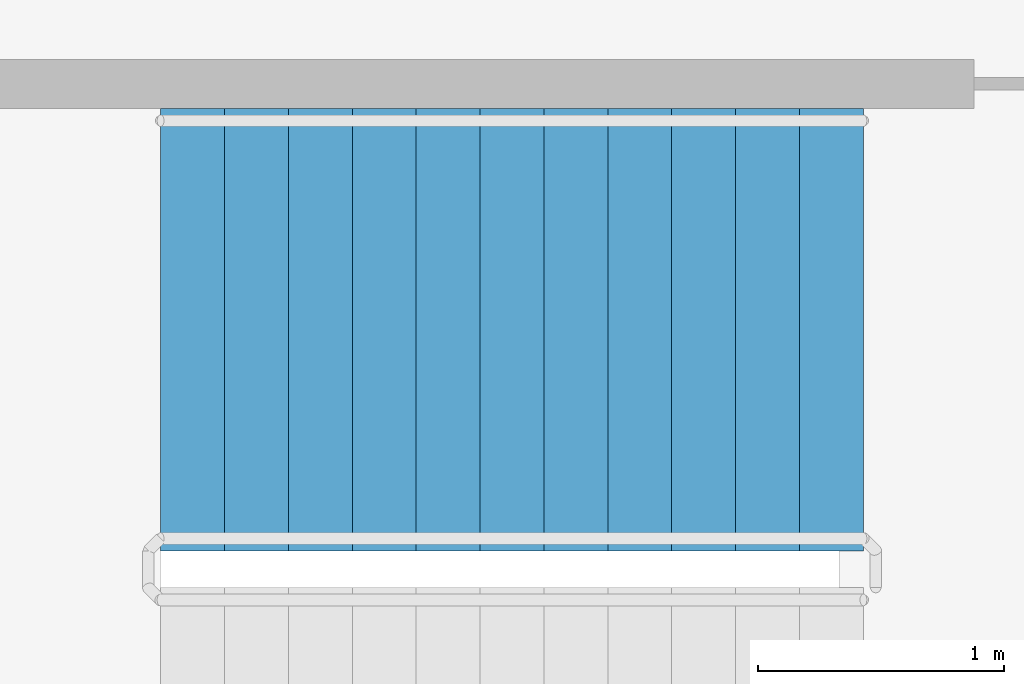
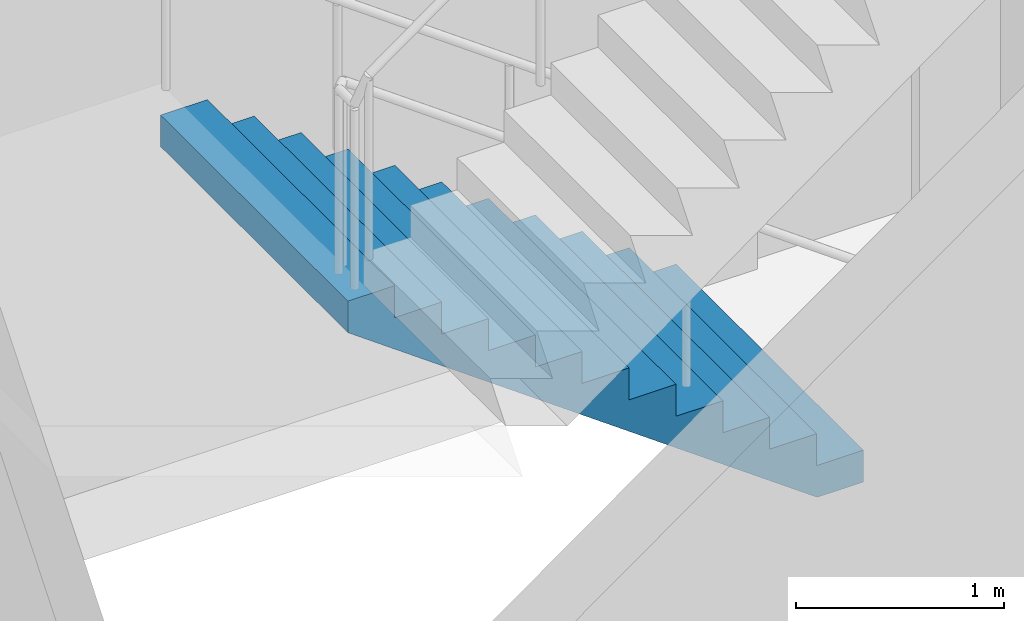
# One storey, part 42 of 49: 1 stair flight, 1 element without a shape of its own.
"""IFC4 building model written with IfcOpenShell, lengths in metres."""

from ifc_helpers import new_model, si_unit, direction, frame, origin, place, context, subcontext, project, spatial, faceted_brep, material, type_object, element, aggregate, save


model = new_model("IFC4")

# Units and contexts
model_context = context("Model", 3, precision=1e-05, world=origin(), true_north=direction((0.0, 1.0)))
body_context = subcontext(model_context, "Body", "Model", "MODEL_VIEW")
ifc_project = project(units=[si_unit("LENGTHUNIT", "METRE"), si_unit("AREAUNIT", "SQUARE_METRE"), si_unit("VOLUMEUNIT", "CUBIC_METRE"), si_unit("PLANEANGLEUNIT", "RADIAN"), si_unit("MASSUNIT", "GRAM", prefix="KILO")], contexts=[model_context])

# Site, building, storey
site_placement = place(None, origin())
site = spatial("IfcSite", under=ifc_project, at=site_placement, CompositionType="ELEMENT")
building_placement = place(site_placement, origin())
building = spatial("IfcBuilding", under=site, at=building_placement, Name="Ipe Terrace Towers", CompositionType="ELEMENT")
storey_placement = place(building_placement, frame((0.0, 0.0, 11.0)))
storey = spatial("IfcBuildingStorey", under=building, at=storey_placement, Name="L02", CompositionType="ELEMENT", Elevation=11.0)

# Stair, stair flight
ifc_material_1 = material(Name="Concrete C30/37", Category="concrete")
stair_type = type_object("IfcStairType", Name="Protected exit stair", PredefinedType="HALF_TURN_STAIR", material=ifc_material_1)
stair_placement = place(storey_placement, origin())
stair = element("IfcStair", 1, at=stair_placement, inside=storey, type_object=stair_type, Name="L02 Podium exit stair PS2", PredefinedType="HALF_TURN_STAIR")
ifc_material_2 = material(Name="Concrete C30/37", Category="concrete")
stair_flight_type = type_object("IfcStairFlightType", Name="Exit stair flight 1800", PredefinedType="STRAIGHT", material=ifc_material_2)
stair_flight_placement = place(storey_placement, frame((-0.75, 25.5, 0.0), z_axis=(0.0, 0.0, 1.0), x_axis=(-1.0, 0.0, 0.0)))
stair_flight = element("IfcStairFlight", 2, at=stair_flight_placement, type_object=stair_flight_type, Name="PS2 flight 1", NumberOfRisers=12, NumberOfTreads=11, PredefinedType="STRAIGHT", RiserHeight=0.1875, TreadLength=0.26, context=body_context, shape_type="Brep", body=[
    faceted_brep([(0.25634765625, -0.89990234375, 0.0), (2.860107421875, -0.89990234375, 1.877685546875), (2.860107421875, -0.89990234375, 2.0625), (2.60009765625, -0.89990234375, 2.0625), (2.60009765625, -0.89990234375, 1.875), (2.340087890625, -0.89990234375, 1.875), (2.340087890625, -0.89990234375, 1.6875), (2.080078125, -0.89990234375, 1.6875), (2.080078125, -0.89990234375, 1.5), (1.820068359375, -0.89990234375, 1.5), (1.820068359375, -0.89990234375, 1.3125), (1.56005859375, -0.89990234375, 1.3125), (1.56005859375, -0.89990234375, 1.125), (1.300048828125, -0.89990234375, 1.125), (1.300048828125, -0.89990234375, 0.9375), (1.0400390625, -0.89990234375, 0.9375), (1.0400390625, -0.89990234375, 0.75), (0.780029296875, -0.89990234375, 0.75), (0.780029296875, -0.89990234375, 0.5625), (0.52001953125, -0.89990234375, 0.5625), (0.52001953125, -0.89990234375, 0.375), (0.260009765625, -0.89990234375, 0.375), (0.260009765625, -0.89990234375, 0.1875), (0.0, -0.89990234375, 0.1875), (0.0, -0.89990234375, 0.0), (0.0, 0.89990234375, 0.0), (0.0, 0.89990234375, 0.1875), (0.260009765625, 0.89990234375, 0.1875), (0.260009765625, 0.89990234375, 0.375), (0.52001953125, 0.89990234375, 0.375), (0.52001953125, 0.89990234375, 0.5625), (0.780029296875, 0.89990234375, 0.5625), (0.780029296875, 0.89990234375, 0.75), (1.0400390625, 0.89990234375, 0.75), (1.0400390625, 0.89990234375, 0.9375), (1.300048828125, 0.89990234375, 0.9375), (1.300048828125, 0.89990234375, 1.125), (1.56005859375, 0.89990234375, 1.125), (1.56005859375, 0.89990234375, 1.3125), (1.820068359375, 0.89990234375, 1.3125), (1.820068359375, 0.89990234375, 1.5), (2.080078125, 0.89990234375, 1.5), (2.080078125, 0.89990234375, 1.6875), (2.340087890625, 0.89990234375, 1.6875), (2.340087890625, 0.89990234375, 1.875), (2.60009765625, 0.89990234375, 1.875), (2.60009765625, 0.89990234375, 2.0625), (2.860107421875, 0.89990234375, 2.0625), (2.860107421875, 0.89990234375, 1.877685546875), (0.25634765625, 0.89990234375, 0.0), (0.0, -0.300048828125, 0.1875), (0.0, -0.1201171875, 0.1875), (0.0, -0.06005859375, 0.1875), (0.0, -0.030029296875, 0.1875), (0.0, -0.010009765625, 0.1875), (0.0, 0.0, 0.1875), (0.0, 0.010009765625, 0.1875), (0.0, 0.030029296875, 0.1875), (0.0, 0.06005859375, 0.1875), (0.0, 0.1201171875, 0.1875), (0.0, 0.300048828125, 0.1875), (0.0, 0.300048828125, 0.0), (0.0, 0.1201171875, 0.0), (0.0, 0.06005859375, 0.0), (0.0, 0.030029296875, 0.0), (0.0, 0.010009765625, 0.0), (0.0, 0.0, 0.0), (0.0, -0.010009765625, 0.0), (0.0, -0.030029296875, 0.0), (0.0, -0.06005859375, 0.0), (0.0, -0.1201171875, 0.0), (0.0, -0.300048828125, 0.0), (0.260009765625, -0.300048828125, 0.1875), (0.260009765625, -0.1201171875, 0.1875), (0.260009765625, -0.06005859375, 0.1875), (0.260009765625, -0.030029296875, 0.1875), (0.260009765625, -0.010009765625, 0.1875), (0.260009765625, 0.0, 0.1875), (0.260009765625, 0.010009765625, 0.1875), (0.260009765625, 0.030029296875, 0.1875), (0.260009765625, 0.06005859375, 0.1875), (0.260009765625, 0.1201171875, 0.1875), (0.260009765625, 0.300048828125, 0.1875), (0.260009765625, -0.300048828125, 0.375), (0.260009765625, -0.1201171875, 0.375), (0.260009765625, -0.06005859375, 0.375), (0.260009765625, -0.030029296875, 0.375), (0.260009765625, -0.010009765625, 0.375), (0.260009765625, 0.0, 0.375), (0.260009765625, 0.010009765625, 0.375), (0.260009765625, 0.030029296875, 0.375), (0.260009765625, 0.06005859375, 0.375), (0.260009765625, 0.1201171875, 0.375), (0.260009765625, 0.300048828125, 0.375), (0.52001953125, -0.300048828125, 0.375), (0.52001953125, -0.1201171875, 0.375), (0.52001953125, -0.06005859375, 0.375), (0.52001953125, -0.030029296875, 0.375), (0.52001953125, -0.010009765625, 0.375), (0.52001953125, 0.0, 0.375), (0.52001953125, 0.010009765625, 0.375), (0.52001953125, 0.030029296875, 0.375), (0.52001953125, 0.06005859375, 0.375), (0.52001953125, 0.1201171875, 0.375), (0.52001953125, 0.300048828125, 0.375), (0.52001953125, -0.300048828125, 0.5625), (0.52001953125, -0.1201171875, 0.5625), (0.52001953125, -0.06005859375, 0.5625), (0.52001953125, -0.030029296875, 0.5625), (0.52001953125, -0.010009765625, 0.5625), (0.52001953125, 0.0, 0.5625), (0.52001953125, 0.010009765625, 0.5625), (0.52001953125, 0.030029296875, 0.5625), (0.52001953125, 0.06005859375, 0.5625), (0.52001953125, 0.1201171875, 0.5625), (0.52001953125, 0.300048828125, 0.5625), (0.780029296875, -0.300048828125, 0.5625), (0.780029296875, -0.1201171875, 0.5625), (0.780029296875, -0.06005859375, 0.5625), (0.780029296875, -0.030029296875, 0.5625), (0.780029296875, -0.010009765625, 0.5625), (0.780029296875, 0.0, 0.5625), (0.780029296875, 0.010009765625, 0.5625), (0.780029296875, 0.030029296875, 0.5625), (0.780029296875, 0.06005859375, 0.5625), (0.780029296875, 0.1201171875, 0.5625), (0.780029296875, 0.300048828125, 0.5625), (0.780029296875, -0.300048828125, 0.75), (0.780029296875, -0.1201171875, 0.75), (0.780029296875, -0.06005859375, 0.75), (0.780029296875, -0.030029296875, 0.75), (0.780029296875, -0.010009765625, 0.75), (0.780029296875, 0.0, 0.75), (0.780029296875, 0.010009765625, 0.75), (0.780029296875, 0.030029296875, 0.75), (0.780029296875, 0.06005859375, 0.75), (0.780029296875, 0.1201171875, 0.75), (0.780029296875, 0.300048828125, 0.75), (1.0400390625, -0.300048828125, 0.75), (1.0400390625, -0.1201171875, 0.75), (1.0400390625, -0.06005859375, 0.75), (1.0400390625, -0.030029296875, 0.75), (1.0400390625, -0.010009765625, 0.75), (1.0400390625, 0.0, 0.75), (1.0400390625, 0.010009765625, 0.75), (1.0400390625, 0.030029296875, 0.75), (1.0400390625, 0.06005859375, 0.75), (1.0400390625, 0.1201171875, 0.75), (1.0400390625, 0.300048828125, 0.75), (1.0400390625, -0.300048828125, 0.9375), (1.0400390625, -0.1201171875, 0.9375), (1.0400390625, -0.06005859375, 0.9375), (1.0400390625, -0.030029296875, 0.9375), (1.0400390625, -0.010009765625, 0.9375), (1.0400390625, 0.0, 0.9375), (1.0400390625, 0.010009765625, 0.9375), (1.0400390625, 0.030029296875, 0.9375), (1.0400390625, 0.06005859375, 0.9375), (1.0400390625, 0.1201171875, 0.9375), (1.0400390625, 0.300048828125, 0.9375), (1.300048828125, -0.300048828125, 0.9375), (1.300048828125, -0.1201171875, 0.9375), (1.300048828125, -0.06005859375, 0.9375), (1.300048828125, -0.030029296875, 0.9375), (1.300048828125, -0.010009765625, 0.9375), (1.300048828125, 0.0, 0.9375), (1.300048828125, 0.010009765625, 0.9375), (1.300048828125, 0.030029296875, 0.9375), (1.300048828125, 0.06005859375, 0.9375), (1.300048828125, 0.1201171875, 0.9375), (1.300048828125, 0.300048828125, 0.9375), (1.300048828125, -0.300048828125, 1.125), (1.300048828125, -0.1201171875, 1.125), (1.300048828125, -0.06005859375, 1.125), (1.300048828125, -0.030029296875, 1.125), (1.300048828125, -0.010009765625, 1.125), (1.300048828125, 0.0, 1.125), (1.300048828125, 0.010009765625, 1.125), (1.300048828125, 0.030029296875, 1.125), (1.300048828125, 0.06005859375, 1.125), (1.300048828125, 0.1201171875, 1.125), (1.300048828125, 0.300048828125, 1.125), (1.56005859375, -0.300048828125, 1.125), (1.56005859375, -0.1201171875, 1.125), (1.56005859375, -0.06005859375, 1.125), (1.56005859375, -0.030029296875, 1.125), (1.56005859375, -0.010009765625, 1.125), (1.56005859375, 0.0, 1.125), (1.56005859375, 0.010009765625, 1.125), (1.56005859375, 0.030029296875, 1.125), (1.56005859375, 0.06005859375, 1.125), (1.56005859375, 0.1201171875, 1.125), (1.56005859375, 0.300048828125, 1.125), (1.56005859375, -0.300048828125, 1.3125), (1.56005859375, -0.1201171875, 1.3125), (1.56005859375, -0.06005859375, 1.3125), (1.56005859375, -0.030029296875, 1.3125), (1.56005859375, -0.010009765625, 1.3125), (1.56005859375, 0.0, 1.3125), (1.56005859375, 0.010009765625, 1.3125), (1.56005859375, 0.030029296875, 1.3125), (1.56005859375, 0.06005859375, 1.3125), (1.56005859375, 0.1201171875, 1.3125), (1.56005859375, 0.300048828125, 1.3125), (1.820068359375, -0.300048828125, 1.3125), (1.820068359375, -0.1201171875, 1.3125), (1.820068359375, -0.06005859375, 1.3125), (1.820068359375, -0.030029296875, 1.3125), (1.820068359375, -0.010009765625, 1.3125), (1.820068359375, 0.0, 1.3125), (1.820068359375, 0.010009765625, 1.3125), (1.820068359375, 0.030029296875, 1.3125), (1.820068359375, 0.06005859375, 1.3125), (1.820068359375, 0.1201171875, 1.3125), (1.820068359375, 0.300048828125, 1.3125), (1.820068359375, -0.300048828125, 1.5), (1.820068359375, -0.1201171875, 1.5), (1.820068359375, -0.06005859375, 1.5), (1.820068359375, -0.030029296875, 1.5), (1.820068359375, -0.010009765625, 1.5), (1.820068359375, 0.0, 1.5), (1.820068359375, 0.010009765625, 1.5), (1.820068359375, 0.030029296875, 1.5), (1.820068359375, 0.06005859375, 1.5), (1.820068359375, 0.1201171875, 1.5), (1.820068359375, 0.300048828125, 1.5), (2.080078125, -0.300048828125, 1.5), (2.080078125, -0.1201171875, 1.5), (2.080078125, -0.06005859375, 1.5), (2.080078125, -0.030029296875, 1.5), (2.080078125, -0.010009765625, 1.5), (2.080078125, 0.0, 1.5), (2.080078125, 0.010009765625, 1.5), (2.080078125, 0.030029296875, 1.5), (2.080078125, 0.06005859375, 1.5), (2.080078125, 0.1201171875, 1.5), (2.080078125, 0.300048828125, 1.5), (2.080078125, -0.300048828125, 1.6875), (2.080078125, -0.1201171875, 1.6875), (2.080078125, -0.06005859375, 1.6875), (2.080078125, -0.030029296875, 1.6875), (2.080078125, -0.010009765625, 1.6875), (2.080078125, 0.0, 1.6875), (2.080078125, 0.010009765625, 1.6875), (2.080078125, 0.030029296875, 1.6875), (2.080078125, 0.06005859375, 1.6875), (2.080078125, 0.1201171875, 1.6875), (2.080078125, 0.300048828125, 1.6875), (2.340087890625, -0.300048828125, 1.6875), (2.340087890625, -0.1201171875, 1.6875), (2.340087890625, -0.06005859375, 1.6875), (2.340087890625, -0.030029296875, 1.6875), (2.340087890625, -0.010009765625, 1.6875), (2.340087890625, 0.0, 1.6875), (2.340087890625, 0.010009765625, 1.6875), (2.340087890625, 0.030029296875, 1.6875), (2.340087890625, 0.06005859375, 1.6875), (2.340087890625, 0.1201171875, 1.6875), (2.340087890625, 0.300048828125, 1.6875), (2.340087890625, -0.300048828125, 1.875), (2.340087890625, -0.1201171875, 1.875), (2.340087890625, -0.06005859375, 1.875), (2.340087890625, -0.030029296875, 1.875), (2.340087890625, -0.010009765625, 1.875), (2.340087890625, 0.0, 1.875), (2.340087890625, 0.010009765625, 1.875), (2.340087890625, 0.030029296875, 1.875), (2.340087890625, 0.06005859375, 1.875), (2.340087890625, 0.1201171875, 1.875), (2.340087890625, 0.300048828125, 1.875), (2.60009765625, -0.300048828125, 1.875), (2.60009765625, -0.1201171875, 1.875), (2.60009765625, -0.06005859375, 1.875), (2.60009765625, -0.030029296875, 1.875), (2.60009765625, -0.010009765625, 1.875), (2.60009765625, 0.0, 1.875), (2.60009765625, 0.010009765625, 1.875), (2.60009765625, 0.030029296875, 1.875), (2.60009765625, 0.06005859375, 1.875), (2.60009765625, 0.1201171875, 1.875), (2.60009765625, 0.300048828125, 1.875), (2.60009765625, -0.300048828125, 2.0625), (2.60009765625, -0.1201171875, 2.0625), (2.60009765625, -0.06005859375, 2.0625), (2.60009765625, -0.030029296875, 2.0625), (2.60009765625, -0.010009765625, 2.0625), (2.60009765625, 0.0, 2.0625), (2.60009765625, 0.010009765625, 2.0625), (2.60009765625, 0.030029296875, 2.0625), (2.60009765625, 0.06005859375, 2.0625), (2.60009765625, 0.1201171875, 2.0625), (2.60009765625, 0.300048828125, 2.0625), (2.860107421875, -0.300048828125, 2.0625), (2.860107421875, -0.1201171875, 2.0625), (2.860107421875, -0.06005859375, 2.0625), (2.860107421875, -0.030029296875, 2.0625), (2.860107421875, -0.010009765625, 2.0625), (2.860107421875, 0.0, 2.0625), (2.860107421875, 0.010009765625, 2.0625), (2.860107421875, 0.030029296875, 2.0625), (2.860107421875, 0.06005859375, 2.0625), (2.860107421875, 0.1201171875, 2.0625), (2.860107421875, 0.300048828125, 2.0625), (2.860107421875, -0.300048828125, 1.877685546875), (2.860107421875, -0.1201171875, 1.877685546875), (2.860107421875, -0.06005859375, 1.877685546875), (2.860107421875, -0.030029296875, 1.877685546875), (2.860107421875, -0.010009765625, 1.877685546875), (2.860107421875, 0.0, 1.877685546875), (2.860107421875, 0.010009765625, 1.877685546875), (2.860107421875, 0.030029296875, 1.877685546875), (2.860107421875, 0.06005859375, 1.877685546875), (2.860107421875, 0.1201171875, 1.877685546875), (2.860107421875, 0.300048828125, 1.877685546875), (0.25634765625, -0.300048828125, 0.0), (0.25634765625, -0.1201171875, 0.0), (0.25634765625, -0.06005859375, 0.0), (0.25634765625, -0.030029296875, 0.0), (0.25634765625, -0.010009765625, 0.0), (0.25634765625, 0.0, 0.0), (0.25634765625, 0.010009765625, 0.0), (0.25634765625, 0.030029296875, 0.0), (0.25634765625, 0.06005859375, 0.0), (0.25634765625, 0.1201171875, 0.0), (0.25634765625, 0.300048828125, 0.0)], [[[0, 1, 2, 3, 4, 5, 6, 7, 8, 9, 10, 11, 12, 13, 14, 15, 16, 17, 18, 19, 20, 21, 22, 23, 24]], [[25, 26, 27, 28, 29, 30, 31, 32, 33, 34, 35, 36, 37, 38, 39, 40, 41, 42, 43, 44, 45, 46, 47, 48, 49]], [[23, 50, 51, 52, 53, 54, 55, 56, 57, 58, 59, 60, 26, 25, 61, 62, 63, 64, 65, 66, 67, 68, 69, 70, 71, 24]], [[22, 72, 73, 74, 75, 76, 77, 78, 79, 80, 81, 82, 27, 26, 60, 59, 58, 57, 56, 55, 54, 53, 52, 51, 50, 23]], [[21, 83, 84, 85, 86, 87, 88, 89, 90, 91, 92, 93, 28, 27, 82, 81, 80, 79, 78, 77, 76, 75, 74, 73, 72, 22]], [[20, 94, 95, 96, 97, 98, 99, 100, 101, 102, 103, 104, 29, 28, 93, 92, 91, 90, 89, 88, 87, 86, 85, 84, 83, 21]], [[19, 105, 106, 107, 108, 109, 110, 111, 112, 113, 114, 115, 30, 29, 104, 103, 102, 101, 100, 99, 98, 97, 96, 95, 94, 20]], [[18, 116, 117, 118, 119, 120, 121, 122, 123, 124, 125, 126, 31, 30, 115, 114, 113, 112, 111, 110, 109, 108, 107, 106, 105, 19]], [[17, 127, 128, 129, 130, 131, 132, 133, 134, 135, 136, 137, 32, 31, 126, 125, 124, 123, 122, 121, 120, 119, 118, 117, 116, 18]], [[16, 138, 139, 140, 141, 142, 143, 144, 145, 146, 147, 148, 33, 32, 137, 136, 135, 134, 133, 132, 131, 130, 129, 128, 127, 17]], [[15, 149, 150, 151, 152, 153, 154, 155, 156, 157, 158, 159, 34, 33, 148, 147, 146, 145, 144, 143, 142, 141, 140, 139, 138, 16]], [[14, 160, 161, 162, 163, 164, 165, 166, 167, 168, 169, 170, 35, 34, 159, 158, 157, 156, 155, 154, 153, 152, 151, 150, 149, 15]], [[13, 171, 172, 173, 174, 175, 176, 177, 178, 179, 180, 181, 36, 35, 170, 169, 168, 167, 166, 165, 164, 163, 162, 161, 160, 14]], [[12, 182, 183, 184, 185, 186, 187, 188, 189, 190, 191, 192, 37, 36, 181, 180, 179, 178, 177, 176, 175, 174, 173, 172, 171, 13]], [[11, 193, 194, 195, 196, 197, 198, 199, 200, 201, 202, 203, 38, 37, 192, 191, 190, 189, 188, 187, 186, 185, 184, 183, 182, 12]], [[10, 204, 205, 206, 207, 208, 209, 210, 211, 212, 213, 214, 39, 38, 203, 202, 201, 200, 199, 198, 197, 196, 195, 194, 193, 11]], [[9, 215, 216, 217, 218, 219, 220, 221, 222, 223, 224, 225, 40, 39, 214, 213, 212, 211, 210, 209, 208, 207, 206, 205, 204, 10]], [[8, 226, 227, 228, 229, 230, 231, 232, 233, 234, 235, 236, 41, 40, 225, 224, 223, 222, 221, 220, 219, 218, 217, 216, 215, 9]], [[7, 237, 238, 239, 240, 241, 242, 243, 244, 245, 246, 247, 42, 41, 236, 235, 234, 233, 232, 231, 230, 229, 228, 227, 226, 8]], [[6, 248, 249, 250, 251, 252, 253, 254, 255, 256, 257, 258, 43, 42, 247, 246, 245, 244, 243, 242, 241, 240, 239, 238, 237, 7]], [[5, 259, 260, 261, 262, 263, 264, 265, 266, 267, 268, 269, 44, 43, 258, 257, 256, 255, 254, 253, 252, 251, 250, 249, 248, 6]], [[4, 270, 271, 272, 273, 274, 275, 276, 277, 278, 279, 280, 45, 44, 269, 268, 267, 266, 265, 264, 263, 262, 261, 260, 259, 5]], [[3, 281, 282, 283, 284, 285, 286, 287, 288, 289, 290, 291, 46, 45, 280, 279, 278, 277, 276, 275, 274, 273, 272, 271, 270, 4]], [[2, 292, 293, 294, 295, 296, 297, 298, 299, 300, 301, 302, 47, 46, 291, 290, 289, 288, 287, 286, 285, 284, 283, 282, 281, 3]], [[1, 303, 304, 305, 306, 307, 308, 309, 310, 311, 312, 313, 48, 47, 302, 301, 300, 299, 298, 297, 296, 295, 294, 293, 292, 2]], [[0, 314, 315, 316, 317, 318, 319, 320, 321, 322, 323, 324, 49, 48, 313, 312, 311, 310, 309, 308, 307, 306, 305, 304, 303, 1]], [[24, 71, 70, 69, 68, 67, 66, 65, 64, 63, 62, 61, 25, 49, 324, 323, 322, 321, 320, 319, 318, 317, 316, 315, 314, 0]]]),
])
aggregate(stair, [stair_flight])

save(model, "model.ifc")
